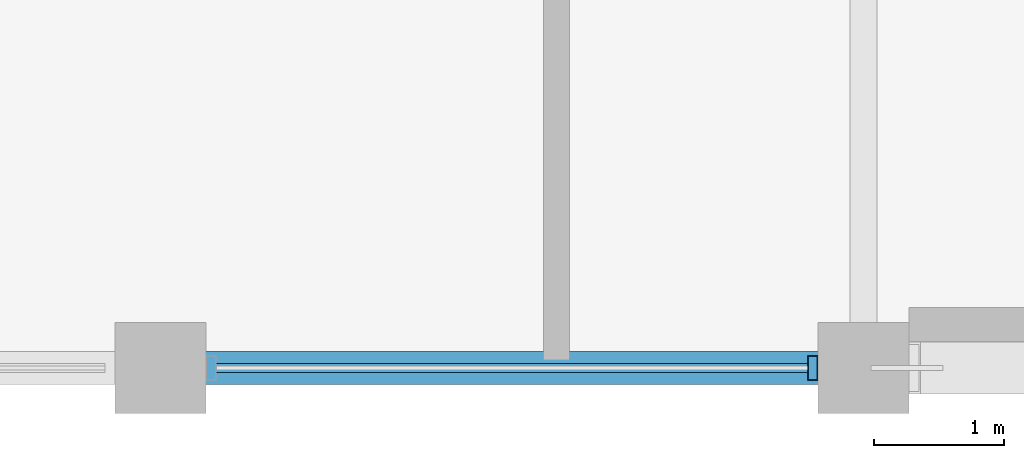
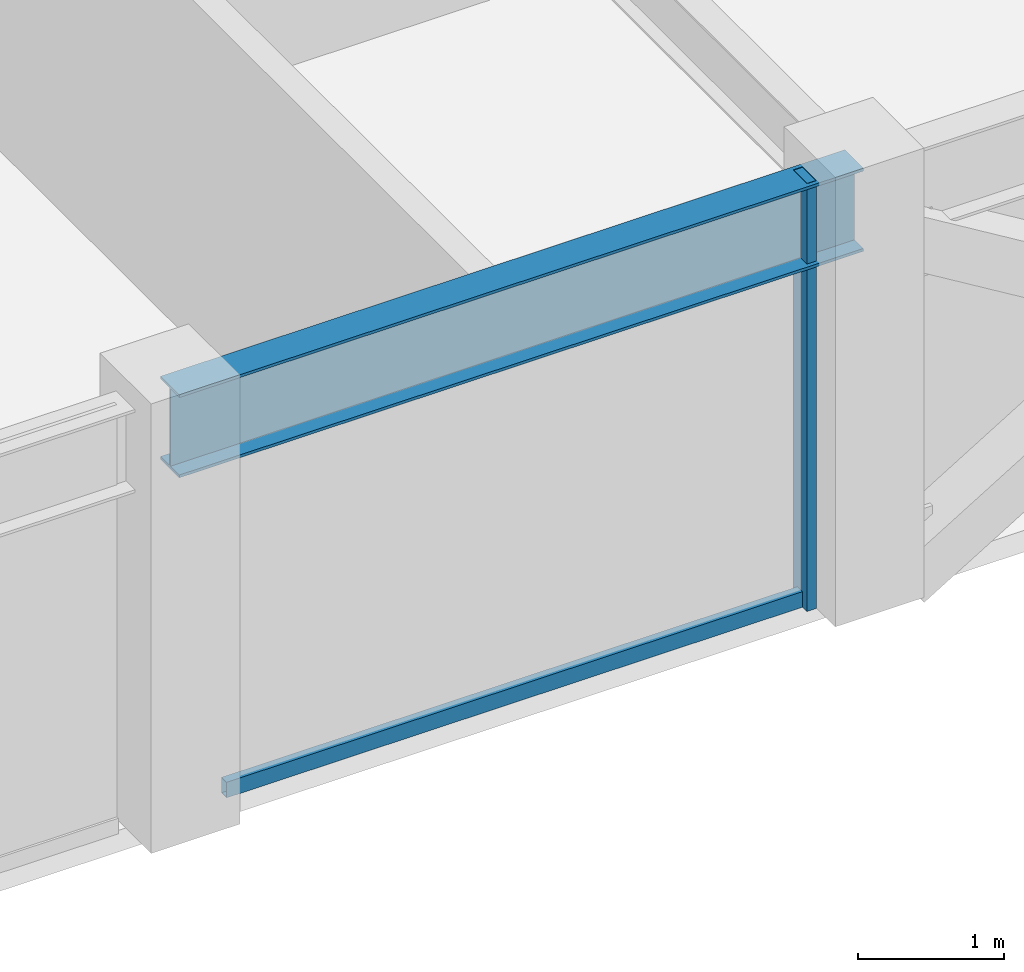
# One storey, part 3 of 31: 2 members, 1 beam, 1 element without a shape of its own.
"""IFC4 building model written with IfcOpenShell, lengths in metres."""

from ifc_helpers import new_model, si_unit, direction, frame, origin, origin_2d, place, context, subcontext, project, spatial, hollow_rectangle, i_section, extrude, material, layer, layer_set, material_profile, profile_set, type_object, element, aggregate, save


model = new_model("IFC4")

# Units and contexts
model_context = context("Model", 3, precision=1e-05, world=origin(), true_north=direction((0.0, 1.0)))
body_context = subcontext(model_context, "Body", "Model", "MODEL_VIEW")
ifc_project = project(units=[si_unit("LENGTHUNIT", "METRE"), si_unit("AREAUNIT", "SQUARE_METRE"), si_unit("VOLUMEUNIT", "CUBIC_METRE"), si_unit("PLANEANGLEUNIT", "RADIAN"), si_unit("MASSUNIT", "GRAM", prefix="KILO")], contexts=[model_context])

# Site, building, storey
site_placement = place(None, origin())
site = spatial("IfcSite", under=ifc_project, at=site_placement, CompositionType="ELEMENT")
building_placement = place(site_placement, origin())
building = spatial("IfcBuilding", under=site, at=building_placement, Name="Surkhivell Harbour Commons", CompositionType="ELEMENT")
storey_placement = place(building_placement, frame((0.0, 0.0, 288.75)))
storey = spatial("IfcBuildingStorey", under=building, at=storey_placement, Name="L75", CompositionType="ELEMENT", Elevation=288.75)

# Beam
ifc_material_1 = material(Name="Steel S355", Category="steel")
ifc_material_profile_1 = material_profile(ifc_material_1, i_section(OverallWidth=0.256103515625, OverallDepth=0.693115234375, WebThickness=0.014404296875, FlangeThickness=0.023681640625, at=origin_2d()), Name="UB686x254x170")
ifc_profile_set_1 = profile_set([ifc_material_profile_1], Name="Steel S355")
beam_type = type_object("IfcBeamType", Name="BM-SPN-686", PredefinedType="SPANDREL", material=ifc_profile_set_1)
beam_placement = place(storey_placement, frame((-16.199951171875, -21.60009765625, 3.223388671875), z_axis=(1.0, 0.0, 0.0), x_axis=(0.0, 1.0, 0.0)))
element("IfcBeam", 1, at=beam_placement, inside=storey, type_object=beam_type, Name="L75 Tube Spandrel (-16.2,-21.6)", PredefinedType="SPANDREL", context=body_context, shape_type="SweptSolid", body=[
    extrude(i_section(OverallWidth=0.256103515625, OverallDepth=0.693115234375, WebThickness=0.014404296875, FlangeThickness=0.023681640625, at=origin_2d()), origin(), (0.0, 0.0, 1.0), 5.39990234375),
])

# Curtain wall, members
ifc_material_2 = material(Name="Anodised pale-metal aluminium and insulated glazing", Category="aluminium")
ifc_layer = layer(ifc_material_2, 0.175048828125)
ifc_layer_set = layer_set([ifc_layer], Name="Anodised pale-metal aluminium and insulated glazing")
curtain_wall_type = type_object("IfcCurtainWallType", Name="CW-SYS-Z4", PredefinedType="NOTDEFINED", material=ifc_layer_set)
curtain_wall_placement = place(storey_placement, origin())
curtain_wall = element("IfcCurtainWall", 2, at=curtain_wall_placement, inside=storey, type_object=curtain_wall_type, Name="L75 Curtain Wall CW-L75-E00S1", PredefinedType="NOTDEFINED")
ifc_material_3 = material(Name="Anodised pale-metal aluminium alloy 6063-T6", Category="aluminium")
ifc_material_profile_2 = material_profile(ifc_material_3, hollow_rectangle(XDim=0.074951171875, YDim=0.18994140625, WallThickness=0.00390625, at=origin_2d()), Name="ALU-MULL-75x190")
ifc_profile_set_2 = profile_set([ifc_material_profile_2], Name="Anodised pale-metal aluminium alloy 6063-T6")
member_type_1 = type_object("IfcMemberType", Name="CWM-190", PredefinedType="MULLION", material=ifc_profile_set_2)
member_1_placement = place(storey_placement, frame((-11.189453125, -21.60009765625, 0.0), z_axis=(0.0, 0.0, 1.0), x_axis=(1.0, 0.0, 0.0)))
member_1 = element("IfcMember", 3, at=member_1_placement, type_object=member_type_1, Name="CW-Z4 mullion 3", PredefinedType="MULLION", context=body_context, shape_type="SweptSolid", body=[
    extrude(hollow_rectangle(XDim=0.074951171875, YDim=0.18994140625, WallThickness=0.00390625, at=origin_2d()), origin(), (0.0, 0.0, 1.0), 3.570068359375),
])
ifc_material_4 = material(Name="Champagne anodised aluminium alloy 6063-T6", Category="aluminium")
ifc_material_profile_3 = material_profile(ifc_material_4, hollow_rectangle(XDim=0.070068359375, YDim=0.1298828125, WallThickness=0.00341796875, at=origin_2d()), Name="ALU-TRAN-70x130")
ifc_profile_set_3 = profile_set([ifc_material_profile_3], Name="Champagne anodised aluminium alloy 6063-T6")
member_type_2 = type_object("IfcMemberType", Name="CWT-130", PredefinedType="USERDEFINED", material=ifc_profile_set_3)
member_2_placement = place(storey_placement, frame((-15.77294921875, -21.60009765625, 0.06494140625), z_axis=(1.0, 0.0, 0.0), x_axis=(0.0, 1.0, 0.0)))
member_2 = element("IfcMember", 4, at=member_2_placement, type_object=member_type_2, Name="CW-Z4 transom 2.1", ObjectType="TRANSOM", PredefinedType="USERDEFINED", context=body_context, shape_type="SweptSolid", body=[
    extrude(hollow_rectangle(XDim=0.070068359375, YDim=0.1298828125, WallThickness=0.00341796875, at=origin_2d()), origin(), (0.0, 0.0, 1.0), 4.5458984375),
])
aggregate(curtain_wall, [member_1, member_2])

save(model, "model.ifc")
